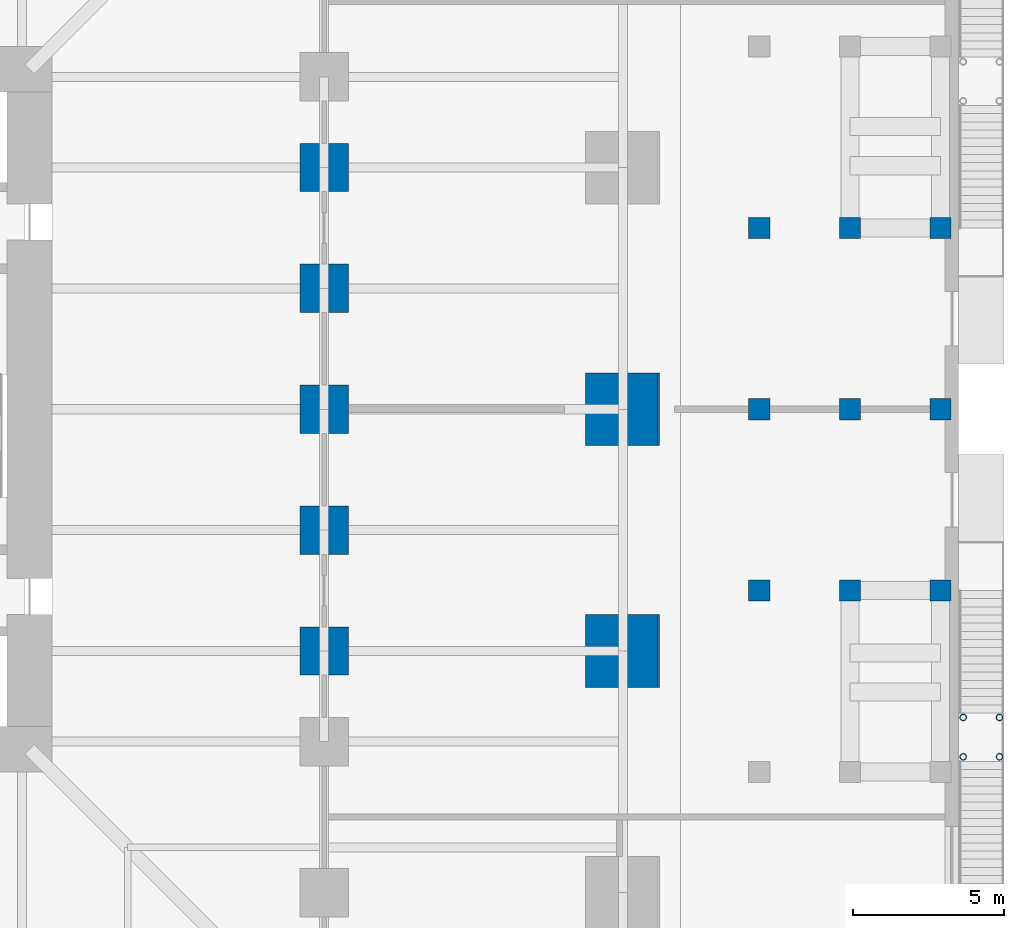
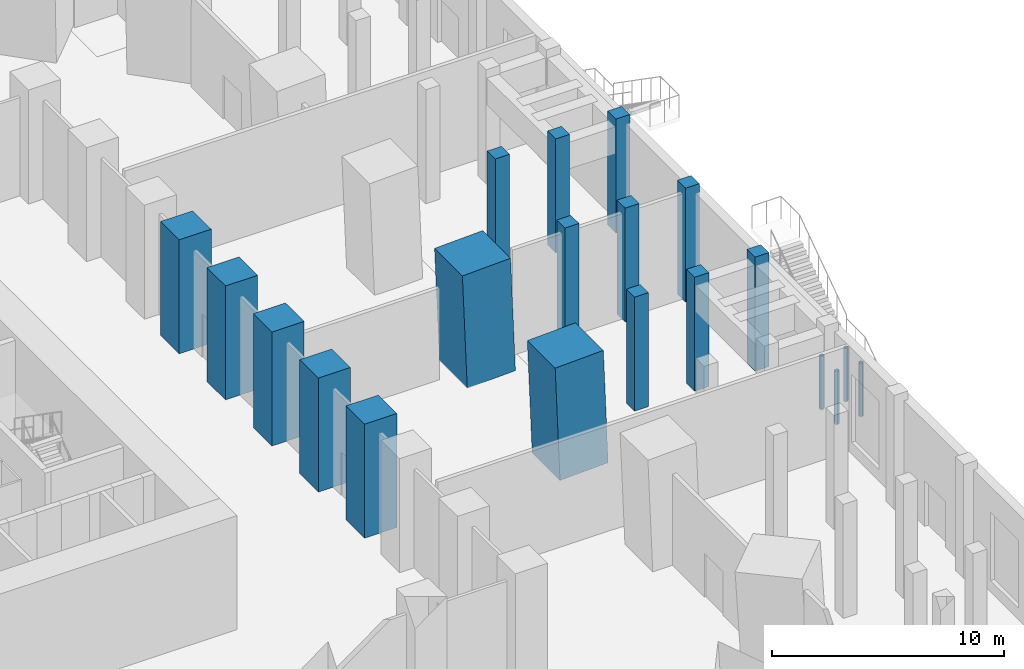
# One storey, part 6 of 20: 20 columns.
"""IFC4 building model written with IfcOpenShell, lengths in metres."""

from ifc_helpers import new_model, si_unit, direction, frame, origin, origin_2d, place, context, subcontext, project, spatial, rectangle, hollow_circle, extrude, material, material_profile, profile_set, type_object, element, save


model = new_model("IFC4")

# Units and contexts
model_context = context("Model", 3, precision=1e-05, world=origin(), true_north=direction((0.0, 1.0)))
body_context = subcontext(model_context, "Body", "Model", "MODEL_VIEW")
ifc_project = project(units=[si_unit("LENGTHUNIT", "METRE"), si_unit("AREAUNIT", "SQUARE_METRE"), si_unit("VOLUMEUNIT", "CUBIC_METRE"), si_unit("PLANEANGLEUNIT", "RADIAN"), si_unit("MASSUNIT", "GRAM", prefix="KILO")], contexts=[model_context])

# Site, building, storey
site_placement = place(None, origin())
site = spatial("IfcSite", under=ifc_project, at=site_placement, CompositionType="ELEMENT")
building_placement = place(site_placement, origin())
building = spatial("IfcBuilding", under=site, at=building_placement, Name="Peilmerk Tower", CompositionType="ELEMENT")
storey_placement = place(building_placement, origin())
storey = spatial("IfcBuildingStorey", under=building, at=storey_placement, Name="L00", CompositionType="ELEMENT", Elevation=0.0)

# Columns
ifc_material_1 = material(Name="Concrete C55/67", Category="concrete")
ifc_material_profile_1 = material_profile(ifc_material_1, rectangle(XDim=0.699951171875, YDim=0.699951171875, at=origin_2d()), Name="RC 700x700")
ifc_profile_set_1 = profile_set([ifc_material_profile_1], Name="Concrete C55/67")
column_type_1 = type_object("IfcColumnType", Name="PC1 700x700 podium column", PredefinedType="COLUMN", material=ifc_profile_set_1)
for number, where, z_axis, x_axis, name in (
    (1, (35.39990234375, -6.0, 0.0), (0.0, 0.0, 1.0), (1.0, 0.0, 0.0), "Podium column ring A L00"),
    (2, (35.39990234375, 0.0, 0.0), (0.0, 0.0, 1.0), (1.0, 0.0, 0.0), "Podium column ring A L00"),
    (3, (35.39990234375, 6.0, 0.0), (0.0, 0.0, 1.0), (1.0, 0.0, 0.0), "Podium column ring A L00"),
    (4, (38.39990234375, -6.0, 0.0), (0.0, 0.0, 1.0), (1.0, 0.0, 0.0), "Podium column ring B L00"),
    (5, (38.39990234375, 0.0, 0.0), (0.0, 0.0, 1.0), (1.0, 0.0, 0.0), "Podium column ring B L00"),
    (6, (38.39990234375, 6.0, 0.0), (0.0, 0.0, 1.0), (1.0, 0.0, 0.0), "Podium column ring B L00"),
    (7, (41.39990234375, -6.0, 0.0), (0.0, 0.0, 1.0), (1.0, 0.0, 0.0), "Podium column ring C L00"),
    (8, (41.39990234375, 0.0, 0.0), (0.0, 0.0, 1.0), (1.0, 0.0, 0.0), "Podium column ring C L00"),
    (9, (41.39990234375, 6.0, 0.0), (0.0, 0.0, 1.0), (1.0, 0.0, 0.0), "Podium column ring C L00"),
):
    element("IfcColumn", number, at=place(storey_placement, frame(where, z_axis=z_axis, x_axis=x_axis)), inside=storey, type_object=column_type_1, Name=name, PredefinedType="COLUMN", context=body_context, shape_type="SweptSolid", body=[
        extrude(rectangle(XDim=0.699951171875, YDim=0.699951171875, at=origin_2d()), origin(), (0.0, 0.0, 1.0), 6.0),
    ])
ifc_material_2 = material(Name="Concrete C90/105", Category="concrete")
ifc_material_profile_2 = material_profile(ifc_material_2, rectangle(XDim=2.39990234375, YDim=2.39990234375, at=origin_2d()), Name="RC 2400x2400")
ifc_profile_set_2 = profile_set([ifc_material_profile_2], Name="Concrete C90/105")
column_type_2 = type_object("IfcColumnType", Name="SC1 2400x2400 encased perimeter column", PredefinedType="COLUMN", material=ifc_profile_set_2)
for number, where, z_axis, x_axis, name in (
    (10, (30.896728515625, 0.0, 0.0), (-0.0402911495, 0.0, 0.999187981949), (0.0, -1.0, 0.0), "Perimeter column E+0 L00"),
    (11, (30.896728515625, -8.0, 0.0), (-0.0402911495, 0.0, 0.999187981949), (0.0, -1.0, 0.0), "Perimeter column E-8 L00"),
):
    element("IfcColumn", number, at=place(storey_placement, frame(where, z_axis=z_axis, x_axis=x_axis)), inside=storey, type_object=column_type_2, Name=name, PredefinedType="COLUMN", context=body_context, shape_type="SweptSolid", body=[
        extrude(rectangle(XDim=2.39990234375, YDim=2.39990234375, at=origin_2d()), origin(), (0.0, 0.0, 1.0), 6.0048828125),
    ])
ifc_material_3 = material(Name="Steel S355", Category="steel")
ifc_material_profile_3 = material_profile(ifc_material_3, hollow_circle(Radius=0.109619140625, WallThickness=0.012451171875, at=origin_2d()), Name="CHS 219.1x12.5")
ifc_profile_set_3 = profile_set([ifc_material_profile_3], Name="Steel S355")
column_type_3 = type_object("IfcColumnType", Name="SC12 CHS 219.1x12.5 external stair post", PredefinedType="COLUMN", material=ifc_profile_set_3)
for number, where, z_axis, x_axis, name in (
    (12, (42.14990234375, -11.5, 0.0), (0.0, 0.0, 1.0), (1.0, 0.0, 0.0), "External stair 4 post L00"),
    (13, (43.35009765625, -11.5, 0.0), (0.0, 0.0, 1.0), (1.0, 0.0, 0.0), "External stair 4 post L00"),
    (14, (42.14990234375, -10.199951171875, 0.0), (0.0, 0.0, 1.0), (1.0, 0.0, 0.0), "External stair 4 post L00"),
    (15, (43.35009765625, -10.199951171875, 0.0), (0.0, 0.0, 1.0), (1.0, 0.0, 0.0), "External stair 4 post L00"),
):
    element("IfcColumn", number, at=place(storey_placement, frame(where, z_axis=z_axis, x_axis=x_axis)), inside=storey, type_object=column_type_3, Name=name, PredefinedType="COLUMN", context=body_context, shape_type="SweptSolid", body=[
        extrude(hollow_circle(Radius=0.109619140625, WallThickness=0.012451171875, at=origin_2d()), origin(), (0.0, 0.0, 1.0), 2.800048828125),
    ])
ifc_material_profile_4 = material_profile(ifc_material_2, rectangle(XDim=1.60009765625, YDim=1.60009765625, at=origin_2d()), Name="RC 1600x1600")
ifc_profile_set_4 = profile_set([ifc_material_profile_4], Name="Concrete C90/105")
column_type_4 = type_object("IfcColumnType", Name="SC2 1600x1600 encased interior column", PredefinedType="COLUMN", material=ifc_profile_set_4)
for number, where, z_axis, x_axis, name in (
    (16, (21.0, 0.0, 0.0), (0.0, 0.0, 1.0), (1.0, 0.0, 0.0), "Interior column E+0 L00"),
    (17, (21.0, -4.0, 0.0), (0.0, 0.0, 1.0), (1.0, 0.0, 0.0), "Interior column E-4 L00"),
    (18, (21.0, 4.0, 0.0), (0.0, 0.0, 1.0), (1.0, 0.0, 0.0), "Interior column E+4 L00"),
    (19, (21.0, -8.0, 0.0), (0.0, 0.0, 1.0), (1.0, 0.0, 0.0), "Interior column E-8 L00"),
    (20, (21.0, 8.0, 0.0), (0.0, 0.0, 1.0), (1.0, 0.0, 0.0), "Interior column E+8 L00"),
):
    element("IfcColumn", number, at=place(storey_placement, frame(where, z_axis=z_axis, x_axis=x_axis)), inside=storey, type_object=column_type_4, Name=name, PredefinedType="COLUMN", context=body_context, shape_type="SweptSolid", body=[
        extrude(rectangle(XDim=1.60009765625, YDim=1.60009765625, at=origin_2d()), origin(), (0.0, 0.0, 1.0), 6.0),
    ])

save(model, "model.ifc")
